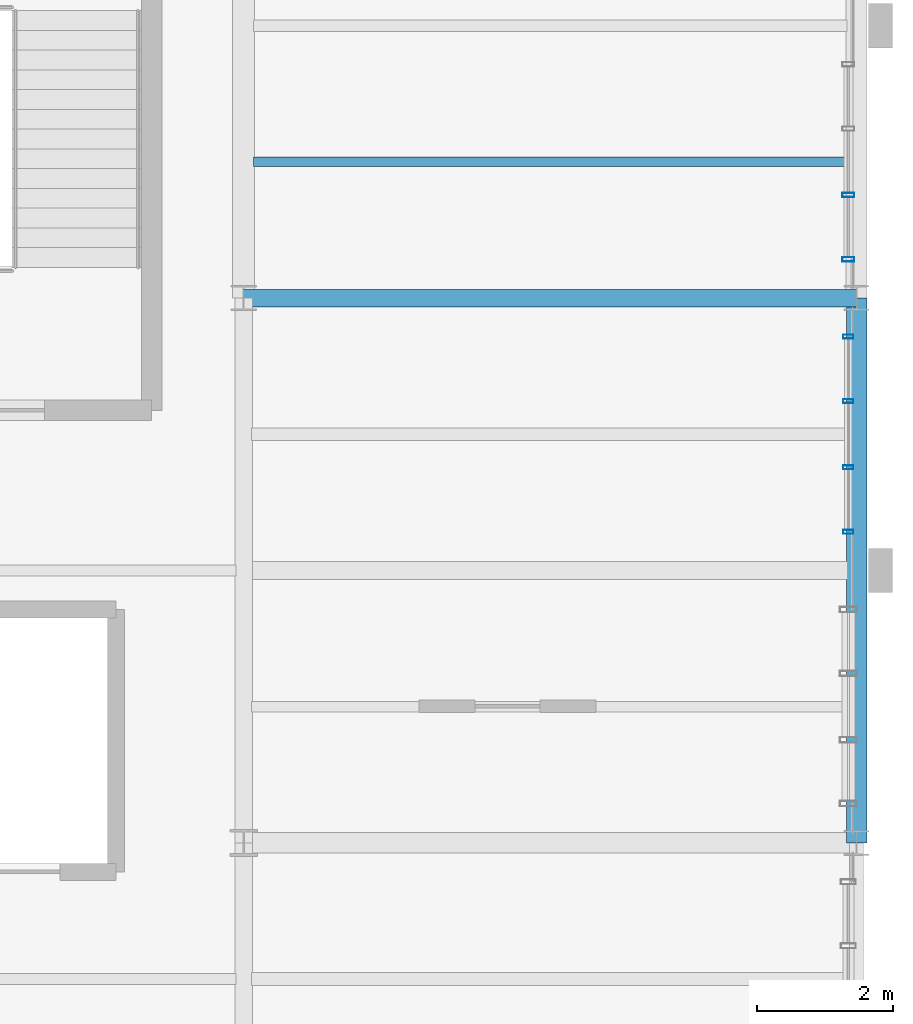
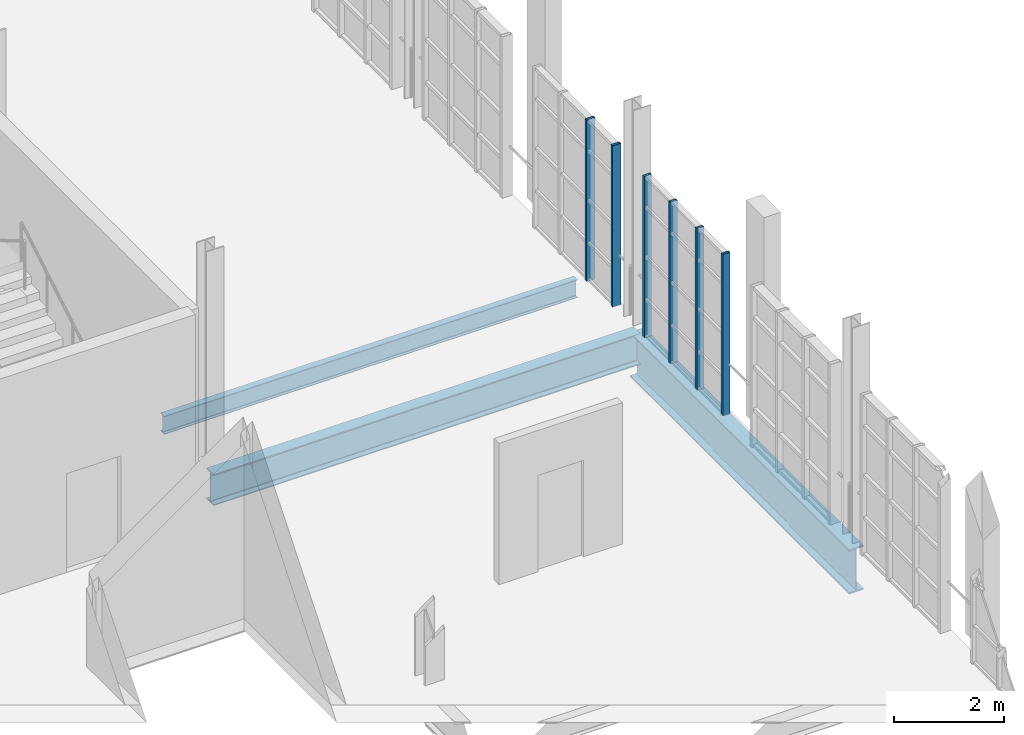
# One storey, part 58 of 122: 6 members, 3 beams, 2 elements without a shape of their own.
"""IFC4 building model written with IfcOpenShell, lengths in metres."""

import ifcopenshell
import ifcopenshell.guid

model = None  # the IFC model being written
_history = None  # IfcOwnerHistory: only IFC2X3 demands one
_inside = {}  # id of a spatial element -> (the spatial element, [elements in it])
_under = {}  # id of a project, library or spatial element -> (it, [spatial elements below it])
_declared = {}  # id of a project -> (the project, [libraries it declares])
_typed = {}  # id of a type object -> (the type object, [elements of that type])
_made_of = {}  # id of a material, layer set ... -> (it, [elements and type objects made of it])


def new_model(schema):
    """Start an empty IFC model of exactly this schema.

    Asked for "IFC4X3", IfcOpenShell would pick the latest addendum, in which some entities
    have other attributes; the version numbers below select the first issue.
    IFC2X3 requires an IfcOwnerHistory on every rooted entity: one is made here for all.
    """
    global model, _history
    if schema == "IFC4X3":
        model = ifcopenshell.file(schema_version=(4, 3, 0, 0))
    else:
        model = ifcopenshell.file(schema=schema)
    _inside.clear()
    _under.clear()
    _declared.clear()
    _typed.clear()
    _made_of.clear()
    _history = None
    if model.schema == "IFC2X3":
        org = make("IfcOrganization", Name="unknown")
        user = make(
            "IfcPersonAndOrganization",
            ThePerson=make("IfcPerson", FamilyName="unknown"),
            TheOrganization=org,
        )
        app = make(
            "IfcApplication",
            ApplicationDeveloper=org,
            Version="unknown",
            ApplicationFullName="unknown",
            ApplicationIdentifier="unknown",
        )
        _history = make(
            "IfcOwnerHistory",
            OwningUser=user,
            OwningApplication=app,
            ChangeAction="ADDED",
            CreationDate=0,
        )
    return model


def make(cls, **values):
    """One entity of the class cls with the attributes given. An attribute that is None is left unset."""
    return model.create_entity(
        cls, **{name: value for name, value in values.items() if value is not None}
    )


def rooted(cls, **values):
    """An entity with a GlobalId (a new one), such as an element, a storey or a relation."""
    return make(cls, GlobalId=ifcopenshell.guid.new(), OwnerHistory=_history, **values)


def si_unit(unit_type, name, prefix=None):
    """IfcSIUnit, for example si_unit("LENGTHUNIT", "METRE", prefix="MILLI")."""
    return make("IfcSIUnit", UnitType=unit_type, Prefix=prefix, Name=name)


def assignment(units):
    """IfcUnitAssignment: the units of a project."""
    return None if units is None else make("IfcUnitAssignment", Units=units)


def point(xyz):
    """IfcCartesianPoint."""
    return None if xyz is None else make("IfcCartesianPoint", Coordinates=xyz)


def direction(xyz):
    """IfcDirection."""
    return None if xyz is None else make("IfcDirection", DirectionRatios=xyz)


def frame(location, z_axis=None, x_axis=None):
    """IfcAxis2Placement3D, a coordinate frame: its origin and axes. An axis left out is left unset."""
    return make(
        "IfcAxis2Placement3D",
        Location=point(location),
        Axis=direction(z_axis),
        RefDirection=direction(x_axis),
    )


def frame_2d(location, x_axis=None):
    """IfcAxis2Placement2D, a coordinate frame in the plane: its origin and x axis."""
    return make(
        "IfcAxis2Placement2D", Location=point(location), RefDirection=direction(x_axis)
    )


def origin():
    """The frame at (0, 0, 0) with its axes left unset."""
    return frame((0.0, 0.0, 0.0))


def origin_2d():
    """The frame at (0, 0) in the plane with its x axis left unset."""
    return frame_2d((0.0, 0.0))


def place(relative_to, where):
    """IfcLocalPlacement: puts the frame where relative to a parent placement (None: the world)."""
    return make(
        "IfcLocalPlacement", PlacementRelTo=relative_to, RelativePlacement=where
    )


def context(
    kind, dimensions, precision=None, world=None, true_north=None, identifier=None
):
    """IfcGeometricRepresentationContext, for example the 3D "Model" context."""
    return make(
        "IfcGeometricRepresentationContext",
        ContextIdentifier=identifier,
        ContextType=kind,
        CoordinateSpaceDimension=dimensions,
        Precision=precision,
        WorldCoordinateSystem=world,
        TrueNorth=true_north,
    )


def subcontext(parent, identifier, kind, view, scale=None):
    """IfcGeometricRepresentationSubContext, for example "Body" below "Model"."""
    return make(
        "IfcGeometricRepresentationSubContext",
        ContextIdentifier=identifier,
        ContextType=kind,
        ParentContext=parent,
        TargetScale=scale,
        TargetView=view,
    )


def project(units=None, contexts=None):
    """IfcProject with its units and contexts."""
    return rooted(
        "IfcProject",
        Name="project",
        RepresentationContexts=contexts,
        UnitsInContext=assignment(units),
    )


def spatial(cls, under=None, at=None, **own):
    """A site, building, storey or space (cls), placed at a placement, below another one or the project."""
    s = rooted(cls, ObjectPlacement=at, **own)
    if under is not None:
        _under.setdefault(under.id(), (under, []))[1].append(s)
    return s


def profile(cls, at=None, kind="AREA", **sizes):
    """A parametric profile (cls). Its sizes go by their IFC names, for example OverallWidth=200.0."""
    return make(cls, ProfileType=kind, Position=at, **sizes)


def hollow_rectangle(**sizes):
    """IfcRectangleHollowProfileDef."""
    return profile("IfcRectangleHollowProfileDef", **sizes)


def i_section(**sizes):
    """IfcIShapeProfileDef."""
    return profile("IfcIShapeProfileDef", **sizes)


def extrude(swept, where, along, depth):
    """IfcExtrudedAreaSolid: the profile swept, set in the frame where, extruded along a direction by depth."""
    return make(
        "IfcExtrudedAreaSolid",
        SweptArea=swept,
        Position=where,
        ExtrudedDirection=direction(along),
        Depth=depth,
    )


def shape(context_of_items, identifier, shape_type, items):
    """IfcShapeRepresentation: the items that make up one representation, for example the "Body"."""
    return make(
        "IfcShapeRepresentation",
        ContextOfItems=context_of_items,
        RepresentationIdentifier=identifier,
        RepresentationType=shape_type,
        Items=items,
    )


def material(Name=None, Category=None):
    """IfcMaterial."""
    return make("IfcMaterial", Name=Name, Category=Category)


def layer(
    of_material, thickness, ventilated=None, Name=None, Category=None, Priority=None
):
    """IfcMaterialLayer: one layer of a wall or slab, of a material (None: an air gap)."""
    return make(
        "IfcMaterialLayer",
        Material=of_material,
        LayerThickness=thickness,
        IsVentilated=ventilated,
        Name=Name,
        Category=Category,
        Priority=Priority,
    )


def layer_set(layers, Name=None):
    """IfcMaterialLayerSet."""
    return make("IfcMaterialLayerSet", MaterialLayers=layers, LayerSetName=Name)


def material_profile(
    of_material, cross_section, Name=None, Category=None, Priority=None
):
    """IfcMaterialProfile: a cross section and its material."""
    return make(
        "IfcMaterialProfile",
        Name=Name,
        Material=of_material,
        Profile=cross_section,
        Priority=Priority,
        Category=Category,
    )


def profile_set(profiles, Name=None, composite=None):
    """IfcMaterialProfileSet."""
    return make(
        "IfcMaterialProfileSet",
        Name=Name,
        MaterialProfiles=profiles,
        CompositeProfile=composite,
    )


def made_of(thing, what):
    """Note that an element or type object is made of a material, layer set ...; save() writes the relation."""
    if what is not None:
        _made_of.setdefault(what.id(), (what, []))[1].append(thing)
    return thing


def type_object(cls, material=None, **own):
    """A type object (cls), such as IfcWallType, which elements share."""
    return made_of(rooted(cls, **own), material)


def element(
    cls,
    number,
    at=None,
    inside=None,
    cuts=None,
    type_object=None,
    material=None,
    context=None,
    identifier="Body",
    shape_type=None,
    held_by="IfcProductDefinitionShape",
    body=None,
    shapes=None,
    **own,
):
    """One element of the class cls, such as IfcWall. Its Tag is "e" and its number.

    at: its placement. inside: the storey or other place that contains it. cuts: it is an
    opening in that element (IfcRelVoidsElement). A single representation is given by context,
    identifier, shape_type and body (its items); several are given by shapes. held_by: the class
    of the entity that holds the representations. save() writes the other relations.
    """
    e = rooted(cls, Tag="e%d" % number, ObjectPlacement=at, **own)
    if body is not None:
        shapes = [shape(context, identifier, shape_type, body)]
    if shapes is not None:
        e.Representation = make(held_by, Representations=shapes)
    if inside is not None:
        _inside.setdefault(inside.id(), (inside, []))[1].append(e)
    if cuts is not None:
        rooted(
            "IfcRelVoidsElement", RelatingBuildingElement=cuts, RelatedOpeningElement=e
        )
    if type_object is not None:
        _typed.setdefault(type_object.id(), (type_object, []))[1].append(e)
    return made_of(e, material)


def aggregate(whole, parts):
    """IfcRelAggregates: a whole, such as a stair, and the parts it consists of."""
    return rooted("IfcRelAggregates", RelatingObject=whole, RelatedObjects=parts)


def save(model, path):
    """Write the relations noted so far, then the file.

    IfcRelAggregates (storeys below a building ...), IfcRelContainedInSpatialStructure (elements
    in a storey), IfcRelDefinesByType, IfcRelAssociatesMaterial and IfcRelDeclares: one each for
    every whole, place, type object, material and project.
    """
    for whole, parts in _under.values():
        aggregate(whole, parts)
    for where, things in _inside.values():
        rooted(
            "IfcRelContainedInSpatialStructure",
            RelatedElements=things,
            RelatingStructure=where,
        )
    for kind, things in _typed.values():
        rooted("IfcRelDefinesByType", RelatedObjects=things, RelatingType=kind)
    for what, things in _made_of.values():
        rooted("IfcRelAssociatesMaterial", RelatedObjects=things, RelatingMaterial=what)
    for by, libraries in _declared.values():
        rooted("IfcRelDeclares", RelatingContext=by, RelatedDefinitions=libraries)
    model.write(path)


model = new_model("IFC4")

# Units and contexts
model_context = context("Model", 3, precision=1e-05, world=origin(), true_north=direction((0.0, 1.0)))
body_context = subcontext(model_context, "Body", "Model", "MODEL_VIEW")
ifc_project = project(units=[si_unit("LENGTHUNIT", "METRE"), si_unit("AREAUNIT", "SQUARE_METRE"), si_unit("VOLUMEUNIT", "CUBIC_METRE"), si_unit("PLANEANGLEUNIT", "RADIAN"), si_unit("MASSUNIT", "GRAM", prefix="KILO"), si_unit("THERMODYNAMICTEMPERATUREUNIT", "KELVIN"), si_unit("POWERUNIT", "WATT")], contexts=[model_context])

# Site, building, storey
site_placement = place(None, origin())
site = spatial("IfcSite", under=ifc_project, at=site_placement, CompositionType="ELEMENT")
building_placement = place(site_placement, origin())
building = spatial("IfcBuilding", under=site, at=building_placement, Name="Zelmaris Science Centre", CompositionType="ELEMENT")
storey_placement = place(building_placement, frame((0.0, 0.0, 10.800048828125)))
storey = spatial("IfcBuildingStorey", under=building, at=storey_placement, Name="L02", CompositionType="ELEMENT", Elevation=10.800048828125)

# Curtain wall, members
ifc_material_1 = material(Name="Anodised architectural aluminium 6063-T6", Category="aluminium")
ifc_layer_1 = layer(ifc_material_1, 0.219970703125, Name="Anodised architectural aluminium 6063-T6")
ifc_layer_set_1 = layer_set([ifc_layer_1], Name="Anodised architectural aluminium 6063-T6")
curtain_wall_type_1 = type_object("IfcCurtainWallType", Name="Curtain Wall CW-04", PredefinedType="USERDEFINED", material=ifc_layer_set_1)
curtain_wall_1_placement = place(storey_placement, origin())
curtain_wall_1 = element("IfcCurtainWall", 1, at=curtain_wall_1_placement, inside=storey, type_object=curtain_wall_type_1, Name="L02 Unitised curtain wall 228", ObjectType="GLAZED CURTAIN WALL", PredefinedType="USERDEFINED")
ifc_material_profile_1 = material_profile(ifc_material_1, hollow_rectangle(XDim=0.06005859375, YDim=0.14990234375, WallThickness=0.00341796875, at=origin_2d()), Name="ALU-MUL-60X150")
ifc_profile_set_1 = profile_set([ifc_material_profile_1], Name="Anodised architectural aluminium 6063-T6")
member_type_1 = type_object("IfcMemberType", Name="ALU-MUL-60X150", PredefinedType="MULLION", material=ifc_profile_set_1)
member_1_placement = place(storey_placement, frame((143.8798828125, 39.43408203125, -0.01513671875), z_axis=(0.0, 0.0, 1.0), x_axis=(0.0, -1.0, 0.0)))
member_1 = element("IfcMember", 2, at=member_1_placement, type_object=member_type_1, Name="CW-04 mullion 1", PredefinedType="MULLION", context=body_context, shape_type="SweptSolid", body=[
    extrude(hollow_rectangle(XDim=0.06005859375, YDim=0.14990234375, WallThickness=0.00341796875, at=origin_2d()), origin(), (0.0, 0.0, 1.0), 3.60107421875),
])
member_2_placement = place(storey_placement, frame((143.8798828125, 38.486572265625, -0.01513671875), z_axis=(0.0, 0.0, 1.0), x_axis=(0.0, -1.0, 0.0)))
member_2 = element("IfcMember", 3, at=member_2_placement, type_object=member_type_1, Name="CW-04 mullion 2", PredefinedType="MULLION", context=body_context, shape_type="SweptSolid", body=[
    extrude(hollow_rectangle(XDim=0.06005859375, YDim=0.14990234375, WallThickness=0.00341796875, at=origin_2d()), origin(), (0.0, 0.0, 1.0), 3.60107421875),
])
member_3_placement = place(storey_placement, frame((143.8798828125, 37.513427734375, -0.01513671875), z_axis=(0.0, 0.0, 1.0), x_axis=(0.0, -1.0, 0.0)))
member_3 = element("IfcMember", 4, at=member_3_placement, type_object=member_type_1, Name="CW-04 mullion 3", PredefinedType="MULLION", context=body_context, shape_type="SweptSolid", body=[
    extrude(hollow_rectangle(XDim=0.06005859375, YDim=0.14990234375, WallThickness=0.00341796875, at=origin_2d()), origin(), (0.0, 0.0, 1.0), 3.60107421875),
])
member_4_placement = place(storey_placement, frame((143.8798828125, 36.56591796875, -0.01513671875), z_axis=(0.0, 0.0, 1.0), x_axis=(0.0, -1.0, 0.0)))
member_4 = element("IfcMember", 5, at=member_4_placement, type_object=member_type_1, Name="CW-04 mullion 4", PredefinedType="MULLION", context=body_context, shape_type="SweptSolid", body=[
    extrude(hollow_rectangle(XDim=0.06005859375, YDim=0.14990234375, WallThickness=0.00341796875, at=origin_2d()), origin(), (0.0, 0.0, 1.0), 3.60107421875),
])
aggregate(curtain_wall_1, [member_1, member_2, member_3, member_4])

ifc_layer_2 = layer(ifc_material_1, 0.2099609375, Name="Anodised architectural aluminium 6063-T6")
ifc_layer_set_2 = layer_set([ifc_layer_2], Name="Anodised architectural aluminium 6063-T6")
curtain_wall_type_2 = type_object("IfcCurtainWallType", Name="Curtain Wall CW-03", PredefinedType="USERDEFINED", material=ifc_layer_set_2)
curtain_wall_2_placement = place(storey_placement, origin())
curtain_wall_2 = element("IfcCurtainWall", 6, at=curtain_wall_2_placement, inside=storey, type_object=curtain_wall_type_2, Name="L02 Unitised curtain wall 227", ObjectType="GLAZED CURTAIN WALL", PredefinedType="USERDEFINED")
ifc_material_profile_2 = material_profile(ifc_material_1, hollow_rectangle(XDim=0.06494140625, YDim=0.179931640625, WallThickness=0.00390625, at=origin_2d()), Name="ALU-MUL-65X180")
ifc_profile_set_2 = profile_set([ifc_material_profile_2], Name="Anodised architectural aluminium 6063-T6")
member_type_2 = type_object("IfcMemberType", Name="ALU-MUL-65X180", PredefinedType="MULLION", material=ifc_profile_set_2)
member_5_placement = place(storey_placement, frame((143.8798828125, 41.513427734375, -0.01513671875), z_axis=(0.0, 0.0, 1.0), x_axis=(0.0, -1.0, 0.0)))
member_5 = element("IfcMember", 7, at=member_5_placement, type_object=member_type_2, Name="CW-03 mullion 3", PredefinedType="MULLION", context=body_context, shape_type="SweptSolid", body=[
    extrude(hollow_rectangle(XDim=0.06494140625, YDim=0.179931640625, WallThickness=0.00390625, at=origin_2d()), origin(), (0.0, 0.0, 1.0), 3.60107421875),
])
member_6_placement = place(storey_placement, frame((143.8798828125, 40.568603515625, -0.01513671875), z_axis=(0.0, 0.0, 1.0), x_axis=(0.0, -1.0, 0.0)))
member_6 = element("IfcMember", 8, at=member_6_placement, type_object=member_type_2, Name="CW-03 mullion 4", PredefinedType="MULLION", context=body_context, shape_type="SweptSolid", body=[
    extrude(hollow_rectangle(XDim=0.06494140625, YDim=0.179931640625, WallThickness=0.00390625, at=origin_2d()), origin(), (0.0, 0.0, 1.0), 3.60107421875),
])
aggregate(curtain_wall_2, [member_5, member_6])

# Beams
ifc_material_2 = material(Name="Steel ASTM A992 Grade 50", Category="steel")
ifc_material_profile_3 = material_profile(ifc_material_2, i_section(OverallWidth=0.257080078125, OverallDepth=0.693115234375, WebThickness=0.014404296875, FlangeThickness=0.023681640625, FilletRadius=0.01806640625, at=origin_2d()), Name="W27X114")
ifc_profile_set_3 = profile_set([ifc_material_profile_3], Name="Steel ASTM A992 Grade 50")
beam_type_1 = type_object("IfcBeamType", Name="Beam G-12 W27X114", PredefinedType="BEAM", material=ifc_profile_set_3)
beam_1_placement = place(storey_placement, frame((135.0, 40.0, -0.6064453125), z_axis=(1.0, 0.0, 0.0), x_axis=(0.0, 1.0, 0.0)))
element("IfcBeam", 9, at=beam_1_placement, inside=storey, type_object=beam_type_1, Name="L02 East-west girder 564", PredefinedType="BEAM", context=body_context, shape_type="SweptSolid", body=[
    extrude(i_section(OverallWidth=0.257080078125, OverallDepth=0.693115234375, WebThickness=0.014404296875, FlangeThickness=0.023681640625, FilletRadius=0.01806640625, at=origin_2d()), origin(), (0.0, 0.0, 1.0), 9.0),
])
ifc_material_profile_4 = material_profile(ifc_material_2, i_section(OverallWidth=0.300048828125, OverallDepth=0.990966796875, WebThickness=0.0166015625, FlangeThickness=0.030517578125, FilletRadius=0.02490234375, at=origin_2d()), Name="W40X183")
ifc_profile_set_4 = profile_set([ifc_material_profile_4], Name="Steel ASTM A992 Grade 50")
beam_type_2 = type_object("IfcBeamType", Name="Beam G-24 W40X183", PredefinedType="BEAM", material=ifc_profile_set_4)
beam_2_placement = place(storey_placement, frame((144.0, 32.0, -0.755615234375), z_axis=(0.0, 1.0, 0.0), x_axis=(-1.0, 0.0, 0.0)))
element("IfcBeam", 10, at=beam_2_placement, inside=storey, type_object=beam_type_2, Name="L02 North-south girder 540", PredefinedType="BEAM", context=body_context, shape_type="SweptSolid", body=[
    extrude(i_section(OverallWidth=0.300048828125, OverallDepth=0.990966796875, WebThickness=0.0166015625, FlangeThickness=0.030517578125, FilletRadius=0.02490234375, at=origin_2d()), origin(), (0.0, 0.0, 1.0), 8.0),
])
ifc_material_profile_5 = material_profile(ifc_material_2, i_section(OverallWidth=0.139892578125, OverallDepth=0.404052734375, WebThickness=0.007080078125, FlangeThickness=0.01123046875, FilletRadius=0.011962890625, at=origin_2d()), Name="W16X31")
ifc_profile_set_5 = profile_set([ifc_material_profile_5], Name="Steel ASTM A992 Grade 50")
beam_type_3 = type_object("IfcBeamType", Name="Beam J-08 W16X31", PredefinedType="JOIST", material=ifc_profile_set_5)
beam_3_placement = place(storey_placement, frame((135.1474609375, 42.0, -0.462158203125), z_axis=(1.0, 0.0, 0.0), x_axis=(0.0, 1.0, 0.0)))
element("IfcBeam", 11, at=beam_3_placement, inside=storey, type_object=beam_type_3, Name="L02 Composite floor joist 313", PredefinedType="JOIST", context=body_context, shape_type="SweptSolid", body=[
    extrude(i_section(OverallWidth=0.139892578125, OverallDepth=0.404052734375, WebThickness=0.007080078125, FlangeThickness=0.01123046875, FilletRadius=0.011962890625, at=origin_2d()), origin(), (0.0, 0.0, 1.0), 8.712646484375),
])

save(model, "model.ifc")
